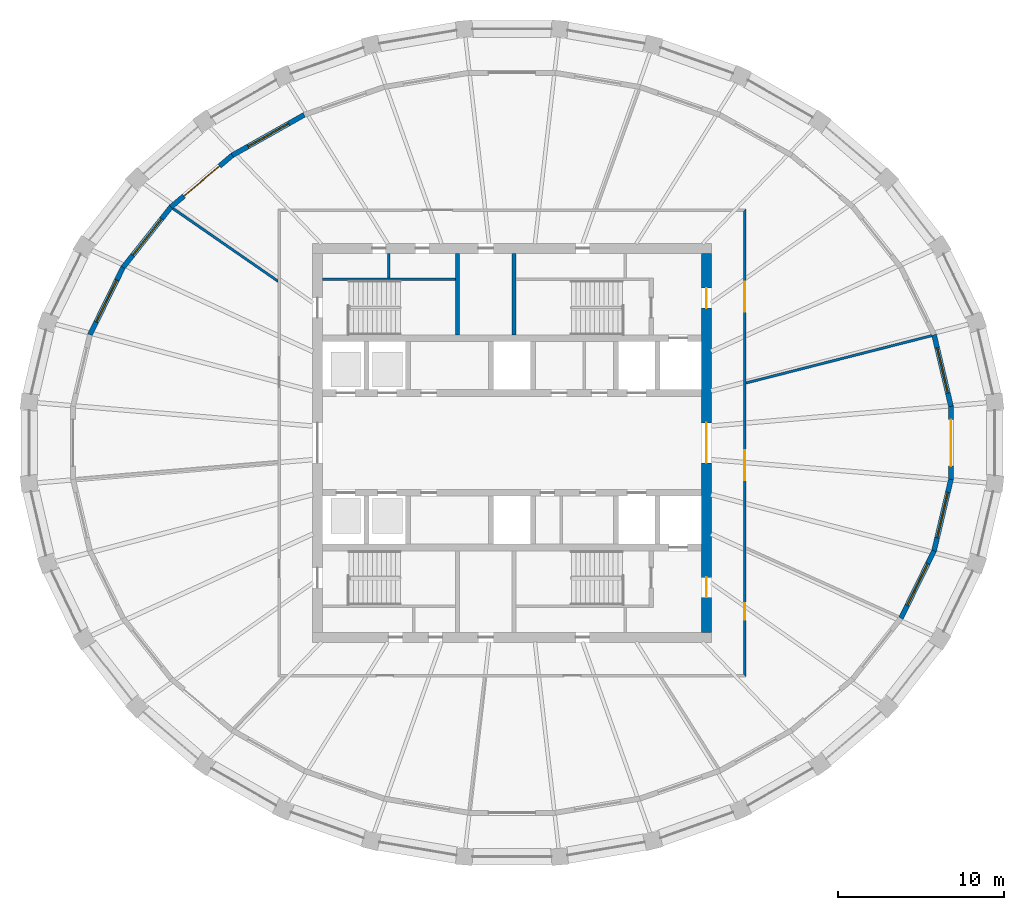
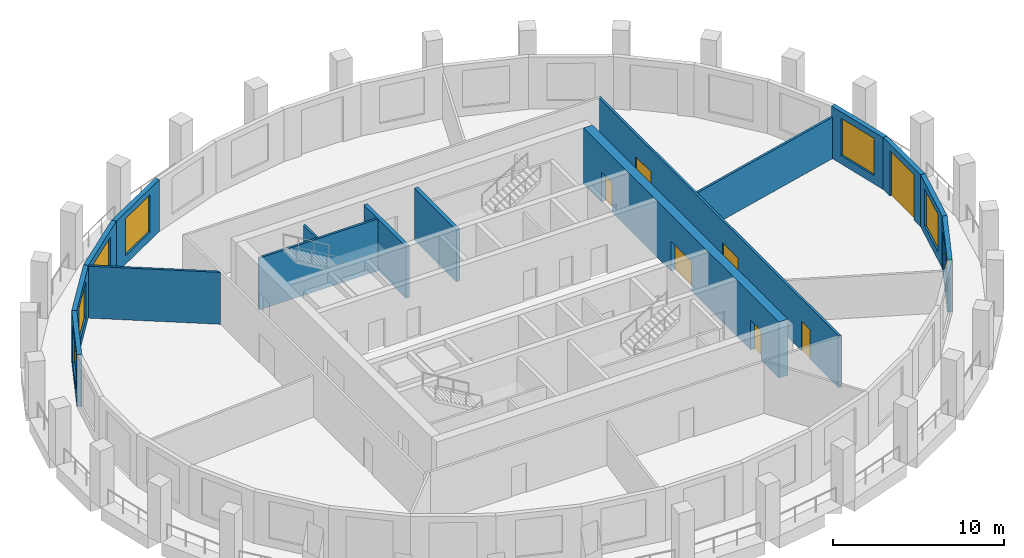
# One storey, part 5 of 10: 16 walls, 8 doors, 6 windows, 14 openings.
"""IFC4 building model written with IfcOpenShell, lengths in metres."""

from ifc_helpers import new_model, si_unit, direction, frame, frame_2d, origin, place, context, subcontext, project, spatial, polyline, rectangle, outline, extrude, material, layer, layer_set, type_object, element, fill, save


model = new_model("IFC4")

# Units and contexts
model_context = context("Model", 3, precision=1e-05, world=origin(), true_north=direction((0.0, 1.0)))
body_context = subcontext(model_context, "Body", "Model", "MODEL_VIEW")
ifc_project = project(units=[si_unit("LENGTHUNIT", "METRE"), si_unit("AREAUNIT", "SQUARE_METRE"), si_unit("VOLUMEUNIT", "CUBIC_METRE"), si_unit("PLANEANGLEUNIT", "RADIAN"), si_unit("MASSUNIT", "GRAM", prefix="KILO")], contexts=[model_context])

# Site, building, storey
site_placement = place(None, origin())
site = spatial("IfcSite", under=ifc_project, at=site_placement, CompositionType="ELEMENT")
building_placement = place(site_placement, origin())
building = spatial("IfcBuilding", under=site, at=building_placement, Name="Halqa Exchange Tower", CompositionType="ELEMENT")
storey_placement = place(building_placement, frame((0.0, 0.0, 292.300048828125)))
storey = spatial("IfcBuildingStorey", under=building, at=storey_placement, Name="L68", CompositionType="ELEMENT", Elevation=292.300048828125)

# Wall
ifc_material_1 = material(Name="Fire-rated gypsum board")
ifc_layer_1 = layer(ifc_material_1, 0.14990234375)
ifc_layer_set_1 = layer_set([ifc_layer_1], Name="Fire-rated gypsum board")
wall_type_1 = type_object("IfcWallType", Name="Fire partition EI 60 150", PredefinedType="PARTITIONING", material=ifc_layer_set_1)
wall_1_placement = place(storey_placement, frame((-20.400146484375, 14.09423828125, 0.0), z_axis=(0.0, 0.0, 1.0), x_axis=(0.822587107867, -0.568639121035, 0.0)))
element("IfcWall", 1, at=wall_1_placement, inside=storey, type_object=wall_type_1, Name="L68-PWL-001", PredefinedType="PARTITIONING", context=body_context, shape_type="SweptSolid", body=[
    extrude(outline(polyline([(7.740966796875, -0.074951171875), (7.740966796875, -0.07470703125), (7.637451171875, 0.074951171875), (5.734375, 0.074951171875), (3.8310546875, 0.074951171875), (1.927978515625, 0.074951171875), (0.024658203125, 0.074951171875), (0.004638671875, 0.001708984375), (0.0, -0.06982421875), (0.0, -0.074951171875), (1.935302734375, -0.074951171875), (3.87060546875, -0.074951171875), (5.8056640625, -0.074951171875), (7.740966796875, -0.074951171875)])), origin(), (0.0, 0.0, 1.0), 3.699951171875),
])

# Wall, openings, doors
wall_2_placement = place(storey_placement, frame((14.0, -14.074951171875, 0.0), z_axis=(0.0, 0.0, 1.0), x_axis=(0.0, 1.0, 0.0)))
wall_2 = element("IfcWall", 2, at=wall_2_placement, inside=storey, type_object=wall_type_1, Name="L68-PWL-010", PredefinedType="PARTITIONING", context=body_context, shape_type="SweptSolid", body=[
    extrude(outline(polyline([(0.0, -0.074951171875), (1.876708984375, -0.074951171875), (3.75341796875, -0.074951171875), (5.6298828125, -0.074951171875), (7.506591796875, -0.074951171875), (9.38330078125, -0.074951171875), (11.260009765625, -0.074951171875), (13.13671875, -0.074951171875), (15.01318359375, -0.074951171875), (16.889892578125, -0.074951171875), (18.7666015625, -0.074951171875), (20.643310546875, -0.074951171875), (22.52001953125, -0.074951171875), (24.396484375, -0.074951171875), (26.273193359375, -0.074951171875), (28.14990234375, -0.074951171875), (28.0, 0.074951171875), (26.0107421875, 0.074951171875), (24.021484375, 0.074951171875), (22.0322265625, 0.074951171875), (20.042724609375, 0.074951171875), (18.053466796875, 0.074951171875), (16.064208984375, 0.074951171875), (14.074951171875, 0.074951171875), (12.085693359375, 0.074951171875), (10.096435546875, 0.074951171875), (8.107177734375, 0.074951171875), (6.11767578125, 0.074951171875), (4.12841796875, 0.074951171875), (2.13916015625, 0.074951171875), (0.14990234375, 0.074951171875), (0.0, -0.074951171875)])), origin(), (0.0, 0.0, 1.0), 3.699951171875),
])
opening_1_placement = place(wall_2_placement, frame((3.425048828125, 0.0, 0.0)))
opening_1 = element("IfcOpeningElement", 3, at=opening_1_placement, cuts=wall_2, Name="Opening 21-05", PredefinedType="OPENING", context=body_context, shape_type="SweptSolid", body=[
    extrude(rectangle(XDim=1.0, YDim=2.10009765625, at=frame_2d((0.5, 1.050048828125))), frame((0.0, 0.0869140625, 0.0), z_axis=(0.0, -1.0, 0.0), x_axis=(1.0, 0.0, 0.0)), (0.0, 0.0, 1.0), 0.173828125),
])
opening_2_placement = place(wall_2_placement, frame((11.81494140625, 0.0, 0.0)))
opening_2 = element("IfcOpeningElement", 4, at=opening_2_placement, cuts=wall_2, Name="Opening 21-06", PredefinedType="OPENING", context=body_context, shape_type="SweptSolid", body=[
    extrude(rectangle(XDim=1.800048828125, YDim=2.10009765625, at=frame_2d((0.89990234375, 1.050048828125))), frame((0.0, 0.0869140625, 0.0), z_axis=(0.0, -1.0, 0.0), x_axis=(1.0, 0.0, 0.0)), (0.0, 0.0, 1.0), 0.173828125),
])
opening_3_placement = place(wall_2_placement, frame((21.965087890625, 0.0, 0.0)))
opening_3 = element("IfcOpeningElement", 5, at=opening_3_placement, cuts=wall_2, Name="Opening 21-07", PredefinedType="OPENING", context=body_context, shape_type="SweptSolid", body=[
    extrude(rectangle(XDim=1.800048828125, YDim=2.10009765625, at=frame_2d((0.89990234375, 1.050048828125))), frame((0.0, 0.0869140625, 0.0), z_axis=(0.0, -1.0, 0.0), x_axis=(1.0, 0.0, 0.0)), (0.0, 0.0, 1.0), 0.173828125),
])
ifc_material_2 = material(Name="Steel fire door leaf", Category="steel")
door_type_1 = type_object("IfcDoorType", Name="Fire door FD30S 1000 x 2100", OperationType="SINGLE_SWING_LEFT", PredefinedType="DOOR", material=ifc_material_2)
door_1_placement = place(opening_1_placement, frame((1.0, 0.0, 0.0), z_axis=(0.0, 0.0, 1.0), x_axis=(-1.0, 0.0, 0.0)))
door_1 = element("IfcDoor", 6, at=door_1_placement, inside=storey, type_object=door_type_1, Name="L68-IDR-005", OperationType="SINGLE_SWING_RIGHT", OverallHeight=2.10009765625, OverallWidth=1.0, PredefinedType="DOOR", context=body_context, shape_type="SweptSolid", body=[
    extrude(rectangle(XDim=1.0, YDim=2.10009765625, at=frame_2d((0.5, 1.050048828125))), frame((0.0, 0.02490234375, 0.0), z_axis=(0.0, -1.0, 0.0), x_axis=(1.0, 0.0, 0.0)), (0.0, 0.0, 1.0), 0.050048828125),
])
fill(opening_1, door_1)
door_type_2 = type_object("IfcDoorType", Name="Fire door FD30S double 1800 x 2100", OperationType="DOUBLE_DOOR_SINGLE_SWING", PredefinedType="DOOR", material=ifc_material_2)
door_2_placement = place(opening_2_placement, frame((1.800048828125, 0.0, 0.0), z_axis=(0.0, 0.0, 1.0), x_axis=(-1.0, 0.0, 0.0)))
door_2 = element("IfcDoor", 7, at=door_2_placement, inside=storey, type_object=door_type_2, Name="L68-IDR-006", OperationType="DOUBLE_DOOR_SINGLE_SWING", OverallHeight=2.10009765625, OverallWidth=1.800048828125, PredefinedType="DOOR", context=body_context, shape_type="SweptSolid", body=[
    extrude(rectangle(XDim=1.800048828125, YDim=2.10009765625, at=frame_2d((0.89990234375, 1.050048828125))), frame((0.0, 0.02490234375, 0.0), z_axis=(0.0, -1.0, 0.0), x_axis=(1.0, 0.0, 0.0)), (0.0, 0.0, 1.0), 0.050048828125),
])
fill(opening_2, door_2)
door_3_placement = place(opening_3_placement, frame((1.800048828125, 0.0, 0.0), z_axis=(0.0, 0.0, 1.0), x_axis=(-1.0, 0.0, 0.0)))
door_3 = element("IfcDoor", 8, at=door_3_placement, inside=storey, type_object=door_type_2, Name="L68-IDR-007", OperationType="DOUBLE_DOOR_SINGLE_SWING", OverallHeight=2.10009765625, OverallWidth=1.800048828125, PredefinedType="DOOR", context=body_context, shape_type="SweptSolid", body=[
    extrude(rectangle(XDim=1.800048828125, YDim=2.10009765625, at=frame_2d((0.89990234375, 1.050048828125))), frame((0.0, 0.02490234375, 0.0), z_axis=(0.0, -1.0, 0.0), x_axis=(1.0, 0.0, 0.0)), (0.0, 0.0, 1.0), 0.050048828125),
])
fill(opening_3, door_3)

# Walls
wall_3_placement = place(storey_placement, frame((14.056640625, 3.594482421875, 0.0), z_axis=(0.0, 0.0, 1.0), x_axis=(0.969049648941, 0.246865910742, 0.0)))
element("IfcWall", 9, at=wall_3_placement, inside=storey, type_object=wall_type_1, Name="L68-PWL-012", PredefinedType="PARTITIONING", context=body_context, shape_type="SweptSolid", body=[
    extrude(outline(polyline([(11.548095703125, -0.074951171875), (11.548095703125, 0.0107421875), (11.53466796875, 0.074951171875), (9.618408203125, 0.074951171875), (7.702392578125, 0.074951171875), (5.786376953125, 0.074951171875), (3.8701171875, 0.074951171875), (1.9541015625, 0.074951171875), (0.0380859375, 0.074951171875), (0.0, -0.074462890625), (0.0, -0.074951171875), (1.9248046875, -0.074951171875), (3.849365234375, -0.074951171875), (5.77392578125, -0.074951171875), (7.69873046875, -0.074951171875), (9.62353515625, -0.074951171875), (11.548095703125, -0.074951171875)])), origin(), (0.0, 0.0, 1.0), 2.947021484375),
])
ifc_material_3 = material(Name="Gypsum board")
ifc_layer_2 = layer(ifc_material_3, 0.14990234375)
ifc_layer_set_2 = layer_set([ifc_layer_2], Name="Gypsum board")
wall_type_2 = type_object("IfcWallType", Name="Penthouse riser wall 150 gypsum", PredefinedType="PARTITIONING", material=ifc_layer_set_2)
wall_4_placement = place(storey_placement, frame((-7.39990234375, 9.89990234375, 0.0), z_axis=(0.0, 0.0, 1.0), x_axis=(0.0, 1.0, 0.0)))
element("IfcWall", 10, at=wall_4_placement, inside=storey, type_object=wall_type_2, Name="Partition W7.400 N", PredefinedType="PARTITIONING", context=body_context, shape_type="SweptSolid", body=[
    extrude(rectangle(XDim=1.5, YDim=0.14990234375, at=frame_2d((0.75, 0.0))), origin(), (0.0, 0.0, 1.0), 3.699951171875),
])

# Wall, openings, doors
ifc_material_4 = material(Name="Concrete C60/75", Category="concrete")
ifc_layer_3 = layer(ifc_material_4, 0.60009765625)
ifc_layer_set_3 = layer_set([ifc_layer_3], Name="Concrete C60/75")
wall_type_3 = type_object("IfcWallType", Name="RC core wall 600 C60/75", PredefinedType="SHEAR", material=ifc_layer_set_3)
wall_5_placement = place(storey_placement, frame((11.699951171875, -11.39990234375, 0.0), z_axis=(0.0, 0.0, 1.0), x_axis=(0.0, 1.0, 0.0)))
wall_5 = element("IfcWall", 11, at=wall_5_placement, inside=storey, type_object=wall_type_3, Name="Core wall east", PredefinedType="SHEAR", context=body_context, shape_type="SweptSolid", body=[
    extrude(rectangle(XDim=22.7998046875, YDim=0.60009765625, at=frame_2d((11.39990234375, 0.0))), origin(), (0.0, 0.0, 1.0), 4.0),
])
opening_4_placement = place(wall_5_placement, frame((10.199951171875, 0.0, 0.0)))
opening_4 = element("IfcOpeningElement", 12, at=opening_4_placement, cuts=wall_5, Name="Opening T21-C10", PredefinedType="OPENING", context=body_context, shape_type="SweptSolid", body=[
    extrude(rectangle(XDim=2.39990234375, YDim=2.10009765625, at=frame_2d((1.199951171875, 1.050048828125))), frame((0.0, 0.31201171875, 0.0), z_axis=(0.0, -1.0, 0.0), x_axis=(1.0, 0.0, 0.0)), (0.0, 0.0, 1.0), 0.6240234375),
])
opening_5_placement = place(wall_5_placement, frame((19.5, 0.0, 0.0)))
opening_5 = element("IfcOpeningElement", 13, at=opening_5_placement, cuts=wall_5, Name="Opening T21-C15", PredefinedType="OPENING", context=body_context, shape_type="SweptSolid", body=[
    extrude(rectangle(XDim=1.199951171875, YDim=2.10009765625, at=frame_2d((0.60009765625, 1.050048828125))), frame((0.0, 0.31201171875, 0.0), z_axis=(0.0, -1.0, 0.0), x_axis=(1.0, 0.0, 0.0)), (0.0, 0.0, 1.0), 0.6240234375),
])
opening_6_placement = place(wall_5_placement, frame((2.10009765625, 0.0, 0.0)))
opening_6 = element("IfcOpeningElement", 14, at=opening_6_placement, cuts=wall_5, Name="Opening T21-C16", PredefinedType="OPENING", context=body_context, shape_type="SweptSolid", body=[
    extrude(rectangle(XDim=1.199951171875, YDim=2.10009765625, at=frame_2d((0.60009765625, 1.050048828125))), frame((0.0, 0.31201171875, 0.0), z_axis=(0.0, -1.0, 0.0), x_axis=(1.0, 0.0, 0.0)), (0.0, 0.0, 1.0), 0.6240234375),
])
door_type_3 = type_object("IfcDoorType", Name="Firefighting lobby door FD90 1200 x 2100", OperationType="SINGLE_SWING_RIGHT", PredefinedType="DOOR", material=ifc_material_2)
door_4_placement = place(opening_5_placement, origin())
door_4 = element("IfcDoor", 15, at=door_4_placement, inside=storey, type_object=door_type_3, Name="Firefighting lobby door", OperationType="SINGLE_SWING_RIGHT", OverallHeight=2.10009765625, OverallWidth=1.199951171875, PredefinedType="DOOR", context=body_context, shape_type="SweptSolid", body=[
    extrude(rectangle(XDim=1.199951171875, YDim=2.10009765625, at=frame_2d((0.60009765625, 1.050048828125))), frame((0.0, 0.02490234375, 0.0), z_axis=(0.0, -1.0, 0.0), x_axis=(1.0, 0.0, 0.0)), (0.0, 0.0, 1.0), 0.050048828125),
])
fill(opening_5, door_4)
door_5_placement = place(opening_6_placement, origin())
door_5 = element("IfcDoor", 16, at=door_5_placement, inside=storey, type_object=door_type_3, Name="Firefighting lobby door", OperationType="SINGLE_SWING_LEFT", OverallHeight=2.10009765625, OverallWidth=1.199951171875, PredefinedType="DOOR", context=body_context, shape_type="SweptSolid", body=[
    extrude(rectangle(XDim=1.199951171875, YDim=2.10009765625, at=frame_2d((0.60009765625, 1.050048828125))), frame((0.0, 0.02490234375, 0.0), z_axis=(0.0, -1.0, 0.0), x_axis=(1.0, 0.0, 0.0)), (0.0, 0.0, 1.0), 0.050048828125),
])
fill(opening_6, door_5)
door_type_4 = type_object("IfcDoorType", Name="Lobby double door FD60 2400 x 2100", OperationType="DOUBLE_DOOR_SINGLE_SWING", PredefinedType="DOOR", material=ifc_material_2)
door_6_placement = place(opening_4_placement, origin())
door_6 = element("IfcDoor", 17, at=door_6_placement, inside=storey, type_object=door_type_4, Name="Lift lobby double door", OperationType="DOUBLE_DOOR_SINGLE_SWING", OverallHeight=2.10009765625, OverallWidth=2.39990234375, PredefinedType="DOOR", context=body_context, shape_type="SweptSolid", body=[
    extrude(rectangle(XDim=2.39990234375, YDim=2.10009765625, at=frame_2d((1.199951171875, 1.050048828125))), frame((0.0, 0.02490234375, 0.0), z_axis=(0.0, -1.0, 0.0), x_axis=(1.0, 0.0, 0.0)), (0.0, 0.0, 1.0), 0.050048828125),
])
fill(opening_4, door_6)

# Walls
ifc_material_5 = material(Name="Concrete C30/37", Category="concrete")
ifc_layer_4 = layer(ifc_material_5, 0.14990234375)
ifc_layer_set_4 = layer_set([ifc_layer_4], Name="Concrete C30/37")
wall_type_4 = type_object("IfcWallType", Name="RC stair wall 150 C30/37", PredefinedType="SHEAR", material=ifc_layer_set_4)
wall_6_placement = place(storey_placement, frame((-11.39990234375, 9.824951171875, 0.0), z_axis=(0.0, 0.0, 1.0), x_axis=(1.0, 0.0, 0.0)))
element("IfcWall", 18, at=wall_6_placement, inside=storey, type_object=wall_type_4, Name="Stair ST1 north wall N", PredefinedType="SHEAR", context=body_context, shape_type="SweptSolid", body=[
    extrude(rectangle(XDim=8.0, YDim=0.14990234375, at=frame_2d((4.0, 0.0))), origin(), (0.0, 0.0, 1.0), 3.699951171875),
])
ifc_layer_5 = layer(ifc_material_5, 0.25)
ifc_layer_set_5 = layer_set([ifc_layer_5], Name="Concrete C30/37")
wall_type_5 = type_object("IfcWallType", Name="RC stair wall 250 C30/37", PredefinedType="SHEAR", material=ifc_layer_set_5)
for number, where, z_axis, x_axis, name in (
    (19, (-3.27490234375, 6.5, 0.0), (0.0, 0.0, 1.0), (0.0, 1.0, 0.0), "Stair ST1 east wall N"),
    (20, (0.125, 6.5, 0.0), (0.0, 0.0, 1.0), (0.0, 1.0, 0.0), "Stair ST2 west wall N"),
):
    element("IfcWall", number, at=place(storey_placement, frame(where, z_axis=z_axis, x_axis=x_axis)), inside=storey, type_object=wall_type_5, Name=name, PredefinedType="SHEAR", context=body_context, shape_type="SweptSolid", body=[
        extrude(rectangle(XDim=4.89990234375, YDim=0.25, at=frame_2d((2.449951171875, 0.0))), origin(), (0.0, 0.0, 1.0), 3.699951171875),
    ])

# Wall, opening, window
ifc_material_6 = material(Name="Limestone cladding", Category="masonry")
ifc_layer_6 = layer(ifc_material_6, 0.0400390625)
ifc_material_7 = material(Name="Ventilated cavity")
ifc_layer_7 = layer(ifc_material_7, 0.030029296875, ventilated=True)
ifc_material_8 = material(Name="Mineral wool insulation")
ifc_layer_8 = layer(ifc_material_8, 0.10009765625)
ifc_layer_9 = layer(ifc_material_5, 0.10009765625)
ifc_material_9 = material(Name="Internal plaster")
ifc_layer_10 = layer(ifc_material_9, 0.030029296875)
ifc_layer_set_6 = layer_set([ifc_layer_6, ifc_layer_7, ifc_layer_8, ifc_layer_9, ifc_layer_10], Name="Stone-faced insulated wall 300")
wall_type_6 = type_object("IfcWallType", Name="Stone-faced insulated wall 300", PredefinedType="STANDARD", material=ifc_layer_set_6)
wall_7_placement = place(storey_placement, frame((26.4072265625, 2.195068359375, 0.0), z_axis=(0.0, 0.0, 1.0), x_axis=(-0.229943714271, 0.973203929435, 0.0)))
wall_7 = element("IfcWall", 21, at=wall_7_placement, inside=storey, type_object=wall_type_6, Name="Glass-line wall 1", PredefinedType="STANDARD", context=body_context, shape_type="SweptSolid", body=[
    extrude(outline(polyline([(-0.017578125, -0.14990234375), (4.43994140625, -0.14990234375), (4.40625, 0.14990234375), (0.017578125, 0.14990234375), (-0.017578125, -0.14990234375)])), origin(), (0.0, 0.0, 1.0), 3.699951171875),
])
opening_7_placement = place(wall_7_placement, frame((0.8115234375, 0.0, 0.60009765625)))
opening_7 = element("IfcOpeningElement", 22, at=opening_7_placement, cuts=wall_7, Name="Opening W-F4-01", PredefinedType="OPENING", context=body_context, shape_type="SweptSolid", body=[
    extrude(rectangle(XDim=2.800048828125, YDim=2.64990234375, at=frame_2d((1.39990234375, 1.324951171875))), frame((0.0, 0.162109375, 0.0), z_axis=(0.0, -1.0, 0.0), x_axis=(1.0, 0.0, 0.0)), (0.0, 0.0, 1.0), 0.323974609375),
])
ifc_material_10 = material(Name="Clear low-emissivity glass in aluminium frame", Category="aluminium")
window_type = type_object("IfcWindowType", Name="Fixed clear glazed window 2800 x 2650", PartitioningType="DOUBLE_PANEL_VERTICAL", PredefinedType="WINDOW", material=ifc_material_10)
window_1_placement = place(opening_7_placement, origin())
window_1 = element("IfcWindow", 23, at=window_1_placement, inside=storey, type_object=window_type, Name="Window 4", OverallHeight=2.64990234375, OverallWidth=2.800048828125, PartitioningType="DOUBLE_PANEL_VERTICAL", PredefinedType="WINDOW", context=body_context, shape_type="SweptSolid", body=[
    extrude(rectangle(XDim=2.800048828125, YDim=2.64990234375, at=frame_2d((1.39990234375, 1.324951171875))), frame((0.0, 0.030029296875, 0.0), z_axis=(0.0, -1.0, 0.0), x_axis=(1.0, 0.0, 0.0)), (0.0, 0.0, 1.0), 0.06005859375),
])
fill(opening_7, window_1)

wall_8_placement = place(storey_placement, frame((-12.49951171875, 19.729248046875, 0.0), z_axis=(0.0, 0.0, 1.0), x_axis=(-0.871512454536, -0.490373369575, 0.0)))
wall_8 = element("IfcWall", 24, at=wall_8_placement, inside=storey, type_object=wall_type_6, Name="Glass-line wall 11", PredefinedType="STANDARD", context=body_context, shape_type="SweptSolid", body=[
    extrude(outline(polyline([(-0.013427734375, -0.14990234375), (4.975830078125, -0.14990234375), (4.947509765625, 0.14990234375), (0.013427734375, 0.14990234375), (-0.013427734375, -0.14990234375)])), origin(), (0.0, 0.0, 1.0), 3.699951171875),
])
opening_8_placement = place(wall_8_placement, frame((1.080810546875, 0.0, 0.60009765625)))
opening_8 = element("IfcOpeningElement", 25, at=opening_8_placement, cuts=wall_8, Name="Opening W-F4-11", PredefinedType="OPENING", context=body_context, shape_type="SweptSolid", body=[
    extrude(rectangle(XDim=2.800048828125, YDim=2.64990234375, at=frame_2d((1.39990234375, 1.324951171875))), frame((0.0, 0.162109375, 0.0), z_axis=(0.0, -1.0, 0.0), x_axis=(1.0, 0.0, 0.0)), (0.0, 0.0, 1.0), 0.323974609375),
])
window_2_placement = place(opening_8_placement, origin())
window_2 = element("IfcWindow", 26, at=window_2_placement, inside=storey, type_object=window_type, Name="Window 4", OverallHeight=2.64990234375, OverallWidth=2.800048828125, PartitioningType="DOUBLE_PANEL_VERTICAL", PredefinedType="WINDOW", context=body_context, shape_type="SweptSolid", body=[
    extrude(rectangle(XDim=2.800048828125, YDim=2.64990234375, at=frame_2d((1.39990234375, 1.324951171875))), frame((0.0, 0.030029296875, 0.0), z_axis=(0.0, -1.0, 0.0), x_axis=(1.0, 0.0, 0.0)), (0.0, 0.0, 1.0), 0.06005859375),
])
fill(opening_8, window_2)

# Wall, opening, door
wall_9_placement = place(storey_placement, frame((-16.82373046875, 17.296142578125, 0.0), z_axis=(0.0, 0.0, 1.0), x_axis=(-0.764966473721, -0.644070100286, 0.0)))
wall_9 = element("IfcWall", 27, at=wall_9_placement, inside=storey, type_object=wall_type_6, Name="Glass-line wall 12", PredefinedType="STANDARD", context=body_context, shape_type="SweptSolid", body=[
    extrude(outline(polyline([(-0.01416015625, -0.14990234375), (4.825439453125, -0.14990234375), (4.795166015625, 0.14990234375), (0.01416015625, 0.14990234375), (-0.01416015625, -0.14990234375)])), origin(), (0.0, 0.0, 1.0), 3.699951171875),
])
opening_9_placement = place(wall_9_placement, frame((1.005126953125, 0.0, 0.0)))
opening_9 = element("IfcOpeningElement", 28, at=opening_9_placement, cuts=wall_9, Name="Opening LG-F4-03", PredefinedType="OPENING", context=body_context, shape_type="SweptSolid", body=[
    extrude(rectangle(XDim=2.800048828125, YDim=3.25, at=frame_2d((1.39990234375, 1.625))), frame((0.0, 0.162109375, 0.0), z_axis=(0.0, -1.0, 0.0), x_axis=(1.0, 0.0, 0.0)), (0.0, 0.0, 1.0), 0.323974609375),
])
door_type_5 = type_object("IfcDoorType", Name="Glazed sliding loggia door 2800 x 3250", OperationType="DOUBLE_DOOR_SLIDING", PredefinedType="DOOR", material=ifc_material_10)
door_7_placement = place(opening_9_placement, origin())
door_7 = element("IfcDoor", 29, at=door_7_placement, inside=storey, type_object=door_type_5, Name="Loggia door 3", OperationType="DOUBLE_DOOR_SLIDING", OverallHeight=3.25, OverallWidth=2.800048828125, PredefinedType="DOOR", context=body_context, shape_type="SweptSolid", body=[
    extrude(rectangle(XDim=2.800048828125, YDim=3.25, at=frame_2d((1.39990234375, 1.625))), frame((0.0, 0.02490234375, 0.0), z_axis=(0.0, -1.0, 0.0), x_axis=(1.0, 0.0, 0.0)), (0.0, 0.0, 1.0), 0.050048828125),
])
fill(opening_9, door_7)

# Wall, opening, window
wall_10_placement = place(storey_placement, frame((-20.50341796875, 14.197998046875, 0.0), z_axis=(0.0, 0.0, 1.0), x_axis=(-0.621625671247, -0.783314448256, 0.0)))
wall_10 = element("IfcWall", 30, at=wall_10_placement, inside=storey, type_object=wall_type_6, Name="Glass-line wall 13", PredefinedType="STANDARD", context=body_context, shape_type="SweptSolid", body=[
    extrude(outline(polyline([(-0.01513671875, -0.14990234375), (4.669677734375, -0.14990234375), (4.637451171875, 0.14990234375), (0.01513671875, 0.14990234375), (-0.01513671875, -0.14990234375)])), origin(), (0.0, 0.0, 1.0), 3.699951171875),
])
opening_10_placement = place(wall_10_placement, frame((0.927001953125, 0.0, 0.60009765625)))
opening_10 = element("IfcOpeningElement", 31, at=opening_10_placement, cuts=wall_10, Name="Opening W-F4-13", PredefinedType="OPENING", context=body_context, shape_type="SweptSolid", body=[
    extrude(rectangle(XDim=2.800048828125, YDim=2.64990234375, at=frame_2d((1.39990234375, 1.324951171875))), frame((0.0, 0.162109375, 0.0), z_axis=(0.0, -1.0, 0.0), x_axis=(1.0, 0.0, 0.0)), (0.0, 0.0, 1.0), 0.323974609375),
])
window_3_placement = place(opening_10_placement, origin())
window_3 = element("IfcWindow", 32, at=window_3_placement, inside=storey, type_object=window_type, Name="Window 4", OverallHeight=2.64990234375, OverallWidth=2.800048828125, PartitioningType="DOUBLE_PANEL_VERTICAL", PredefinedType="WINDOW", context=body_context, shape_type="SweptSolid", body=[
    extrude(rectangle(XDim=2.800048828125, YDim=2.64990234375, at=frame_2d((1.39990234375, 1.324951171875))), frame((0.0, 0.030029296875, 0.0), z_axis=(0.0, -1.0, 0.0), x_axis=(1.0, 0.0, 0.0)), (0.0, 0.0, 1.0), 0.06005859375),
])
fill(opening_10, window_3)

wall_11_placement = place(storey_placement, frame((-23.396240234375, 10.552734375, 0.0), z_axis=(0.0, 0.0, 1.0), x_axis=(-0.441431671743, -0.897294867467, 0.0)))
wall_11 = element("IfcWall", 33, at=wall_11_placement, inside=storey, type_object=wall_type_6, Name="Glass-line wall 14", PredefinedType="STANDARD", context=body_context, shape_type="SweptSolid", body=[
    extrude(outline(polyline([(-0.01611328125, -0.14990234375), (4.53369140625, -0.14990234375), (4.5, 0.14990234375), (0.01611328125, 0.14990234375), (-0.01611328125, -0.14990234375)])), origin(), (0.0, 0.0, 1.0), 3.699951171875),
])
opening_11_placement = place(wall_11_placement, frame((0.8583984375, 0.0, 0.60009765625)))
opening_11 = element("IfcOpeningElement", 34, at=opening_11_placement, cuts=wall_11, Name="Opening W-F4-14", PredefinedType="OPENING", context=body_context, shape_type="SweptSolid", body=[
    extrude(rectangle(XDim=2.800048828125, YDim=2.64990234375, at=frame_2d((1.39990234375, 1.324951171875))), frame((0.0, 0.162109375, 0.0), z_axis=(0.0, -1.0, 0.0), x_axis=(1.0, 0.0, 0.0)), (0.0, 0.0, 1.0), 0.323974609375),
])
window_4_placement = place(opening_11_placement, origin())
window_4 = element("IfcWindow", 35, at=window_4_placement, inside=storey, type_object=window_type, Name="Window 4", OverallHeight=2.64990234375, OverallWidth=2.800048828125, PartitioningType="DOUBLE_PANEL_VERTICAL", PredefinedType="WINDOW", context=body_context, shape_type="SweptSolid", body=[
    extrude(rectangle(XDim=2.800048828125, YDim=2.64990234375, at=frame_2d((1.39990234375, 1.324951171875))), frame((0.0, 0.030029296875, 0.0), z_axis=(0.0, -1.0, 0.0), x_axis=(1.0, 0.0, 0.0)), (0.0, 0.0, 1.0), 0.06005859375),
])
fill(opening_11, window_4)

wall_12_placement = place(storey_placement, frame((23.396240234375, -10.552734375, 0.0), z_axis=(0.0, 0.0, 1.0), x_axis=(0.441431671743, 0.897294867467, 0.0)))
wall_12 = element("IfcWall", 36, at=wall_12_placement, inside=storey, type_object=wall_type_6, Name="Glass-line wall 30", PredefinedType="STANDARD", context=body_context, shape_type="SweptSolid", body=[
    extrude(outline(polyline([(-0.01611328125, -0.14990234375), (4.53369140625, -0.14990234375), (4.5, 0.14990234375), (0.01611328125, 0.14990234375), (-0.01611328125, -0.14990234375)])), origin(), (0.0, 0.0, 1.0), 3.699951171875),
])
opening_12_placement = place(wall_12_placement, frame((0.8583984375, 0.0, 0.60009765625)))
opening_12 = element("IfcOpeningElement", 37, at=opening_12_placement, cuts=wall_12, Name="Opening W-F4-30", PredefinedType="OPENING", context=body_context, shape_type="SweptSolid", body=[
    extrude(rectangle(XDim=2.800048828125, YDim=2.64990234375, at=frame_2d((1.39990234375, 1.324951171875))), frame((0.0, 0.162109375, 0.0), z_axis=(0.0, -1.0, 0.0), x_axis=(1.0, 0.0, 0.0)), (0.0, 0.0, 1.0), 0.323974609375),
])
window_5_placement = place(opening_12_placement, origin())
window_5 = element("IfcWindow", 38, at=window_5_placement, inside=storey, type_object=window_type, Name="Window 4", OverallHeight=2.64990234375, OverallWidth=2.800048828125, PartitioningType="DOUBLE_PANEL_VERTICAL", PredefinedType="WINDOW", context=body_context, shape_type="SweptSolid", body=[
    extrude(rectangle(XDim=2.800048828125, YDim=2.64990234375, at=frame_2d((1.39990234375, 1.324951171875))), frame((0.0, 0.030029296875, 0.0), z_axis=(0.0, -1.0, 0.0), x_axis=(1.0, 0.0, 0.0)), (0.0, 0.0, 1.0), 0.06005859375),
])
fill(opening_12, window_5)

wall_13_placement = place(storey_placement, frame((25.39013671875, -6.499755859375, 0.0), z_axis=(0.0, 0.0, 1.0), x_axis=(0.229943714271, 0.973203929435, 0.0)))
wall_13 = element("IfcWall", 39, at=wall_13_placement, inside=storey, type_object=wall_type_6, Name="Glass-line wall 31", PredefinedType="STANDARD", context=body_context, shape_type="SweptSolid", body=[
    extrude(outline(polyline([(-0.016845703125, -0.14990234375), (4.440673828125, -0.14990234375), (4.405517578125, 0.14990234375), (0.016845703125, 0.14990234375), (-0.016845703125, -0.14990234375)])), origin(), (0.0, 0.0, 1.0), 3.699951171875),
])
opening_13_placement = place(wall_13_placement, frame((0.8115234375, 0.0, 0.60009765625)))
opening_13 = element("IfcOpeningElement", 40, at=opening_13_placement, cuts=wall_13, Name="Opening W-F4-31", PredefinedType="OPENING", context=body_context, shape_type="SweptSolid", body=[
    extrude(rectangle(XDim=2.800048828125, YDim=2.64990234375, at=frame_2d((1.39990234375, 1.324951171875))), frame((0.0, 0.162109375, 0.0), z_axis=(0.0, -1.0, 0.0), x_axis=(1.0, 0.0, 0.0)), (0.0, 0.0, 1.0), 0.323974609375),
])
window_6_placement = place(opening_13_placement, origin())
window_6 = element("IfcWindow", 41, at=window_6_placement, inside=storey, type_object=window_type, Name="Window 4", OverallHeight=2.64990234375, OverallWidth=2.800048828125, PartitioningType="DOUBLE_PANEL_VERTICAL", PredefinedType="WINDOW", context=body_context, shape_type="SweptSolid", body=[
    extrude(rectangle(XDim=2.800048828125, YDim=2.64990234375, at=frame_2d((1.39990234375, 1.324951171875))), frame((0.0, 0.030029296875, 0.0), z_axis=(0.0, -1.0, 0.0), x_axis=(1.0, 0.0, 0.0)), (0.0, 0.0, 1.0), 0.06005859375),
])
fill(opening_13, window_6)

# Wall, opening, door
wall_14_placement = place(storey_placement, frame((26.4072265625, -2.195068359375, 0.0), z_axis=(0.0, 0.0, 1.0), x_axis=(0.0, 1.0, 0.0)))
wall_14 = element("IfcWall", 42, at=wall_14_placement, inside=storey, type_object=wall_type_6, Name="Glass-line wall 32", PredefinedType="STANDARD", context=body_context, shape_type="SweptSolid", body=[
    extrude(outline(polyline([(-0.017578125, -0.14990234375), (4.40771484375, -0.14990234375), (4.37255859375, 0.14990234375), (0.017578125, 0.14990234375), (-0.017578125, -0.14990234375)])), origin(), (0.0, 0.0, 1.0), 3.699951171875),
])
opening_14_placement = place(wall_14_placement, frame((0.794921875, 0.0, 0.0)))
opening_14 = element("IfcOpeningElement", 43, at=opening_14_placement, cuts=wall_14, Name="Opening LG-F4-08", PredefinedType="OPENING", context=body_context, shape_type="SweptSolid", body=[
    extrude(rectangle(XDim=2.800048828125, YDim=3.25, at=frame_2d((1.39990234375, 1.625))), frame((0.0, 0.162109375, 0.0), z_axis=(0.0, -1.0, 0.0), x_axis=(1.0, 0.0, 0.0)), (0.0, 0.0, 1.0), 0.323974609375),
])
door_8_placement = place(opening_14_placement, origin())
door_8 = element("IfcDoor", 44, at=door_8_placement, inside=storey, type_object=door_type_5, Name="Loggia door 8", OperationType="DOUBLE_DOOR_SLIDING", OverallHeight=3.25, OverallWidth=2.800048828125, PredefinedType="DOOR", context=body_context, shape_type="SweptSolid", body=[
    extrude(rectangle(XDim=2.800048828125, YDim=3.25, at=frame_2d((1.39990234375, 1.625))), frame((0.0, 0.02490234375, 0.0), z_axis=(0.0, -1.0, 0.0), x_axis=(1.0, 0.0, 0.0)), (0.0, 0.0, 1.0), 0.050048828125),
])
fill(opening_14, door_8)

save(model, "model.ifc")
